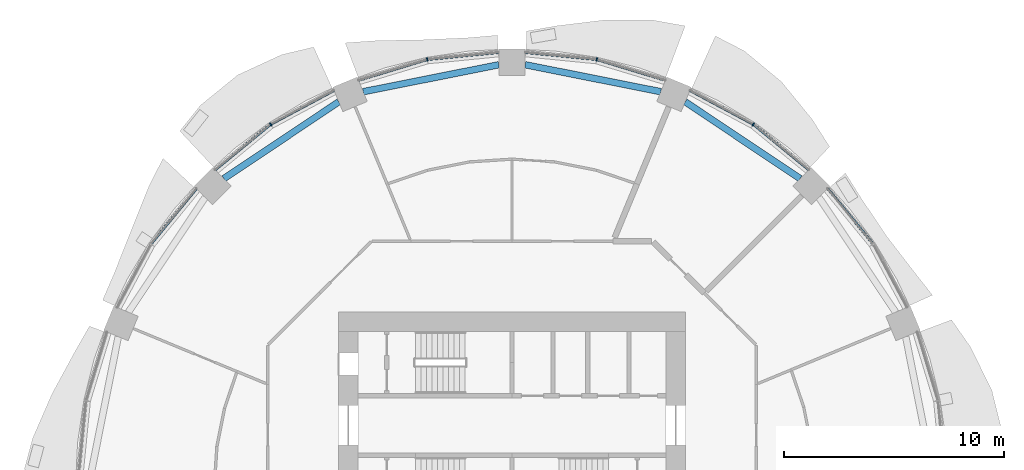
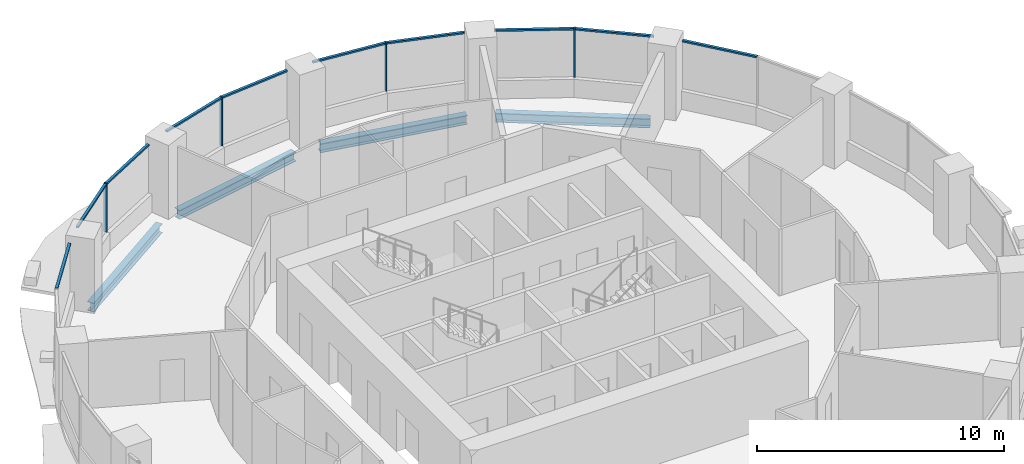
# One storey, part 6 of 15: 14 members, 4 beams, 6 elements without a shape of their own.
"""IFC4 building model written with IfcOpenShell, lengths in metres."""

from ifc_helpers import new_model, si_unit, direction, frame, origin, origin_2d, place, context, subcontext, project, spatial, rectangle, i_section, extrude, material, material_profile, profile_set, type_object, element, aggregate, save


model = new_model("IFC4")

# Units and contexts
model_context = context("Model", 3, precision=1e-05, world=origin(), true_north=direction((0.0, 1.0)))
body_context = subcontext(model_context, "Body", "Model", "MODEL_VIEW")
ifc_project = project(units=[si_unit("LENGTHUNIT", "METRE"), si_unit("AREAUNIT", "SQUARE_METRE"), si_unit("VOLUMEUNIT", "CUBIC_METRE"), si_unit("PLANEANGLEUNIT", "RADIAN"), si_unit("MASSUNIT", "GRAM", prefix="KILO")], contexts=[model_context])

# Site, building, storey
site_placement = place(None, origin())
site = spatial("IfcSite", under=ifc_project, at=site_placement, CompositionType="ELEMENT")
building_placement = place(site_placement, origin())
building = spatial("IfcBuilding", under=site, at=building_placement, Name="Polderwave Tower", CompositionType="ELEMENT")
storey_placement = place(building_placement, frame((0.0, 0.0, 26.199951171875)))
storey = spatial("IfcBuildingStorey", under=building, at=storey_placement, Name="L06", CompositionType="ELEMENT", Elevation=26.199951171875)

# Curtain wall, member
ifc_material_1 = material(Name="Aluminium 6063-T6 and glass", Category="aluminium")
curtain_wall_type = type_object("IfcCurtainWallType", Name="Growing floor ribbon glazing wall", PredefinedType="NOTDEFINED", material=ifc_material_1)
curtain_wall_1_placement = place(storey_placement, origin())
curtain_wall_1 = element("IfcCurtainWall", 1, at=curtain_wall_1_placement, inside=storey, type_object=curtain_wall_type, Name="CW2 L06 02", PredefinedType="NOTDEFINED")
ifc_material_2 = material(Name="Aluminium 6063-T6", Category="aluminium")
ifc_material_profile_1 = material_profile(ifc_material_2, rectangle(XDim=0.14990234375, YDim=0.06005859375, at=origin_2d()), Name="AL 60x150")
ifc_profile_set_1 = profile_set([ifc_material_profile_1], Name="Aluminium 6063-T6")
member_type_1 = type_object("IfcMemberType", Name="Growing floor ribbon glazing mullion 60x150", PredefinedType="MULLION", material=ifc_profile_set_1)
member_1_placement = place(storey_placement, frame((10.945068359375, 16.3798828125, 0.900146484375), z_axis=(0.0, 0.0, 1.0), x_axis=(-0.555619572441, -0.831436642637, 0.0)))
member_1 = element("IfcMember", 2, at=member_1_placement, type_object=member_type_1, Name="CW2 mullion 1", PredefinedType="MULLION", context=body_context, shape_type="SweptSolid", body=[
    extrude(rectangle(XDim=0.14990234375, YDim=0.06005859375, at=origin_2d()), origin(), (0.0, 0.0, 1.0), 2.39990234375),
])

curtain_wall_2_placement = place(storey_placement, origin())
curtain_wall_2 = element("IfcCurtainWall", 3, at=curtain_wall_2_placement, inside=storey, type_object=curtain_wall_type, Name="CW2 L06 03", PredefinedType="NOTDEFINED")
member_2_placement = place(storey_placement, frame((3.843017578125, 19.321044921875, 0.900146484375), z_axis=(0.0, 0.0, 1.0), x_axis=(-0.19515879327, -0.980771658139, 0.0)))
member_2 = element("IfcMember", 4, at=member_2_placement, type_object=member_type_1, Name="CW2 mullion 1", PredefinedType="MULLION", context=body_context, shape_type="SweptSolid", body=[
    extrude(rectangle(XDim=0.14990234375, YDim=0.06005859375, at=origin_2d()), origin(), (0.0, 0.0, 1.0), 2.39990234375),
])

curtain_wall_3_placement = place(storey_placement, origin())
curtain_wall_3 = element("IfcCurtainWall", 5, at=curtain_wall_3_placement, inside=storey, type_object=curtain_wall_type, Name="CW2 L06 04", PredefinedType="NOTDEFINED")
member_3_placement = place(storey_placement, frame((-3.843017578125, 19.321044921875, 0.900146484375), z_axis=(0.0, 0.0, 1.0), x_axis=(0.19515879327, -0.980771658139, 0.0)))
member_3 = element("IfcMember", 6, at=member_3_placement, type_object=member_type_1, Name="CW2 mullion 1", PredefinedType="MULLION", context=body_context, shape_type="SweptSolid", body=[
    extrude(rectangle(XDim=0.14990234375, YDim=0.06005859375, at=origin_2d()), origin(), (0.0, 0.0, 1.0), 2.39990234375),
])

curtain_wall_4_placement = place(storey_placement, origin())
curtain_wall_4 = element("IfcCurtainWall", 7, at=curtain_wall_4_placement, inside=storey, type_object=curtain_wall_type, Name="CW2 L06 05", PredefinedType="NOTDEFINED")
member_4_placement = place(storey_placement, frame((-10.945068359375, 16.3798828125, 0.900146484375), z_axis=(0.0, 0.0, 1.0), x_axis=(0.555619572441, -0.831436642637, 0.0)))
member_4 = element("IfcMember", 8, at=member_4_placement, type_object=member_type_1, Name="CW2 mullion 1", PredefinedType="MULLION", context=body_context, shape_type="SweptSolid", body=[
    extrude(rectangle(XDim=0.14990234375, YDim=0.06005859375, at=origin_2d()), origin(), (0.0, 0.0, 1.0), 2.39990234375),
])

curtain_wall_5_placement = place(storey_placement, origin())
curtain_wall_5 = element("IfcCurtainWall", 9, at=curtain_wall_5_placement, inside=storey, type_object=curtain_wall_type, Name="CW2 L06 01", PredefinedType="NOTDEFINED")
ifc_material_profile_2 = material_profile(ifc_material_2, rectangle(XDim=0.1201171875, YDim=0.080078125, at=origin_2d()), Name="AL 80x120")
ifc_profile_set_2 = profile_set([ifc_material_profile_2], Name="Aluminium 6063-T6")
member_type_2 = type_object("IfcMemberType", Name="Growing floor ribbon glazing transom 80x120", PredefinedType="USERDEFINED", material=ifc_profile_set_2)
member_5_placement = place(storey_placement, frame((16.361083984375, 10.96826171875, 3.260009765625), z_axis=(-0.634537869946, 0.772891772245, 0.0), x_axis=(-0.772891772245, -0.634537869946, 0.0)))
member_5 = element("IfcMember", 10, at=member_5_placement, type_object=member_type_2, Name="CW2 transom 2", ObjectType="TRANSOM", PredefinedType="USERDEFINED", context=body_context, shape_type="SweptSolid", body=[
    extrude(rectangle(XDim=0.1201171875, YDim=0.080078125, at=origin_2d()), origin(), (0.0, 0.0, 1.0), 3.229248046875),
])
aggregate(curtain_wall_5, [member_5])

# Member
member_6_placement = place(storey_placement, frame((13.464111328125, 14.31201171875, 3.260009765625), z_axis=(-0.772891772245, 0.634537869946, 0.0), x_axis=(-0.634537869946, -0.772891772245, 0.0)))
member_6 = element("IfcMember", 11, at=member_6_placement, type_object=member_type_2, Name="CW2 transom 1", ObjectType="TRANSOM", PredefinedType="USERDEFINED", context=body_context, shape_type="SweptSolid", body=[
    extrude(rectangle(XDim=0.1201171875, YDim=0.080078125, at=origin_2d()), origin(), (0.0, 0.0, 1.0), 3.229248046875),
])

member_7_placement = place(storey_placement, frame((10.91845703125, 16.39404296875, 3.260009765625), z_axis=(-0.88192137056, 0.471396538118, 0.0), x_axis=(-0.471396538118, -0.88192137056, 0.0)))
member_7 = element("IfcMember", 12, at=member_7_placement, type_object=member_type_2, Name="CW2 transom 2", ObjectType="TRANSOM", PredefinedType="USERDEFINED", context=body_context, shape_type="SweptSolid", body=[
    extrude(rectangle(XDim=0.1201171875, YDim=0.080078125, at=origin_2d()), origin(), (0.0, 0.0, 1.0), 3.228759765625),
])

aggregate(curtain_wall_1, [member_1, member_6, member_7])

member_8_placement = place(storey_placement, frame((6.9619140625, 18.375, 3.260009765625), z_axis=(-0.956956343636, 0.290231901029, 0.0), x_axis=(-0.290231901029, -0.956956343636, 0.0)))
member_8 = element("IfcMember", 13, at=member_8_placement, type_object=member_type_2, Name="CW2 transom 1", ObjectType="TRANSOM", PredefinedType="USERDEFINED", context=body_context, shape_type="SweptSolid", body=[
    extrude(rectangle(XDim=0.1201171875, YDim=0.080078125, at=origin_2d()), origin(), (0.0, 0.0, 1.0), 3.229248046875),
])

member_9_placement = place(storey_placement, frame((3.81298828125, 19.323974609375, 3.260009765625), z_axis=(-0.995163657896, 0.098230820031, 0.0), x_axis=(-0.098230820031, -0.995163657896, 0.0)))
member_9 = element("IfcMember", 14, at=member_9_placement, type_object=member_type_2, Name="CW2 transom 2", ObjectType="TRANSOM", PredefinedType="USERDEFINED", context=body_context, shape_type="SweptSolid", body=[
    extrude(rectangle(XDim=0.1201171875, YDim=0.080078125, at=origin_2d()), origin(), (0.0, 0.0, 1.0), 3.228515625),
])

aggregate(curtain_wall_2, [member_2, member_8, member_9])

member_10_placement = place(storey_placement, frame((-0.60009765625, 19.64111328125, 3.260009765625), z_axis=(-0.995163657896, -0.098230820031, 0.0), x_axis=(0.098230820031, -0.995163657896, 0.0)))
member_10 = element("IfcMember", 15, at=member_10_placement, type_object=member_type_2, Name="CW2 transom 1", ObjectType="TRANSOM", PredefinedType="USERDEFINED", context=body_context, shape_type="SweptSolid", body=[
    extrude(rectangle(XDim=0.1201171875, YDim=0.080078125, at=origin_2d()), origin(), (0.0, 0.0, 1.0), 3.228515625),
])

member_11_placement = place(storey_placement, frame((-3.87158203125, 19.312255859375, 3.260009765625), z_axis=(-0.956956343636, -0.290231901029, 0.0), x_axis=(0.290231901029, -0.956956343636, 0.0)))
member_11 = element("IfcMember", 16, at=member_11_placement, type_object=member_type_2, Name="CW2 transom 2", ObjectType="TRANSOM", PredefinedType="USERDEFINED", context=body_context, shape_type="SweptSolid", body=[
    extrude(rectangle(XDim=0.1201171875, YDim=0.080078125, at=origin_2d()), origin(), (0.0, 0.0, 1.0), 3.229248046875),
])

aggregate(curtain_wall_3, [member_3, member_10, member_11])

member_12_placement = place(storey_placement, frame((-8.071044921875, 17.916015625, 3.260009765625), z_axis=(-0.88192137056, -0.471396538118, 0.0), x_axis=(0.471396538118, -0.88192137056, 0.0)))
member_12 = element("IfcMember", 17, at=member_12_placement, type_object=member_type_2, Name="CW2 transom 1", ObjectType="TRANSOM", PredefinedType="USERDEFINED", context=body_context, shape_type="SweptSolid", body=[
    extrude(rectangle(XDim=0.1201171875, YDim=0.080078125, at=origin_2d()), origin(), (0.0, 0.0, 1.0), 3.228759765625),
])

member_13_placement = place(storey_placement, frame((-10.96826171875, 16.361083984375, 3.260009765625), z_axis=(-0.772891772245, -0.634537869946, 0.0), x_axis=(0.634537869946, -0.772891772245, 0.0)))
member_13 = element("IfcMember", 18, at=member_13_placement, type_object=member_type_2, Name="CW2 transom 2", ObjectType="TRANSOM", PredefinedType="USERDEFINED", context=body_context, shape_type="SweptSolid", body=[
    extrude(rectangle(XDim=0.1201171875, YDim=0.080078125, at=origin_2d()), origin(), (0.0, 0.0, 1.0), 3.229248046875),
])

aggregate(curtain_wall_4, [member_4, member_12, member_13])

# Curtain wall, member
curtain_wall_6_placement = place(storey_placement, origin())
curtain_wall_6 = element("IfcCurtainWall", 19, at=curtain_wall_6_placement, inside=storey, type_object=curtain_wall_type, Name="CW2 L06 06", PredefinedType="NOTDEFINED")
member_14_placement = place(storey_placement, frame((-14.31201171875, 13.464111328125, 3.260009765625), z_axis=(-0.634537869946, -0.772891772245, 0.0), x_axis=(0.772891772245, -0.634537869946, 0.0)))
member_14 = element("IfcMember", 20, at=member_14_placement, type_object=member_type_2, Name="CW2 transom 1", ObjectType="TRANSOM", PredefinedType="USERDEFINED", context=body_context, shape_type="SweptSolid", body=[
    extrude(rectangle(XDim=0.1201171875, YDim=0.080078125, at=origin_2d()), origin(), (0.0, 0.0, 1.0), 3.229248046875),
])
aggregate(curtain_wall_6, [member_14])

# Beams
ifc_material_3 = material(Name="Steel S355", Category="steel")
ifc_material_profile_3 = material_profile(ifc_material_3, i_section(OverallWidth=0.300048828125, OverallDepth=0.449951171875, WebThickness=0.013916015625, FlangeThickness=0.02587890625, at=origin_2d()), Name="HE 450 B")
ifc_profile_set_3 = profile_set([ifc_material_profile_3], Name="Steel S355")
beam_type = type_object("IfcBeamType", Name="RING BEAM HE 450 B", PredefinedType="BEAM", material=ifc_profile_set_3)
beam_1_placement = place(storey_placement, frame((13.06787109375, 13.916259765625, -0.574951171875), z_axis=(-0.831462584076, 0.555580751359, 0.0), x_axis=(-0.555580751359, -0.831462584076, 0.0)))
element("IfcBeam", 21, at=beam_1_placement, inside=storey, type_object=beam_type, Name="ST-RB-L06-02", PredefinedType="BEAM", context=body_context, shape_type="SweptSolid", body=[
    extrude(i_section(OverallWidth=0.300048828125, OverallDepth=0.449951171875, WebThickness=0.013916015625, FlangeThickness=0.02587890625, at=origin_2d()), origin(), (0.0, 0.0, 1.0), 6.26806640625),
])
for number, where, z_axis, x_axis, name in (
    (22, (6.74755859375, 17.85791015625, -0.574951171875), (-0.98078985187, 0.195067338291, 0.0), (-0.195067338291, -0.98078985187, 0.0), "ST-RB-L06-03"),
    (23, (-0.60009765625, 19.08056640625, -0.574951171875), (-0.98078985187, -0.195067338291, 0.0), (0.195067338291, -0.98078985187, 0.0), "ST-RB-L06-04"),
):
    element("IfcBeam", number, at=place(storey_placement, frame(where, z_axis=z_axis, x_axis=x_axis)), inside=storey, type_object=beam_type, Name=name, PredefinedType="BEAM", context=body_context, shape_type="SweptSolid", body=[
        extrude(i_section(OverallWidth=0.300048828125, OverallDepth=0.449951171875, WebThickness=0.013916015625, FlangeThickness=0.02587890625, at=origin_2d()), origin(), (0.0, 0.0, 1.0), 6.267822265625),
    ])
beam_2_placement = place(storey_placement, frame((-7.856201171875, 17.398681640625, -0.574951171875), z_axis=(-0.831462584076, -0.555580751359, 0.0), x_axis=(0.555580751359, -0.831462584076, 0.0)))
element("IfcBeam", 24, at=beam_2_placement, inside=storey, type_object=beam_type, Name="ST-RB-L06-05", PredefinedType="BEAM", context=body_context, shape_type="SweptSolid", body=[
    extrude(i_section(OverallWidth=0.300048828125, OverallDepth=0.449951171875, WebThickness=0.013916015625, FlangeThickness=0.02587890625, at=origin_2d()), origin(), (0.0, 0.0, 1.0), 6.26806640625),
])

save(model, "model.ifc")
